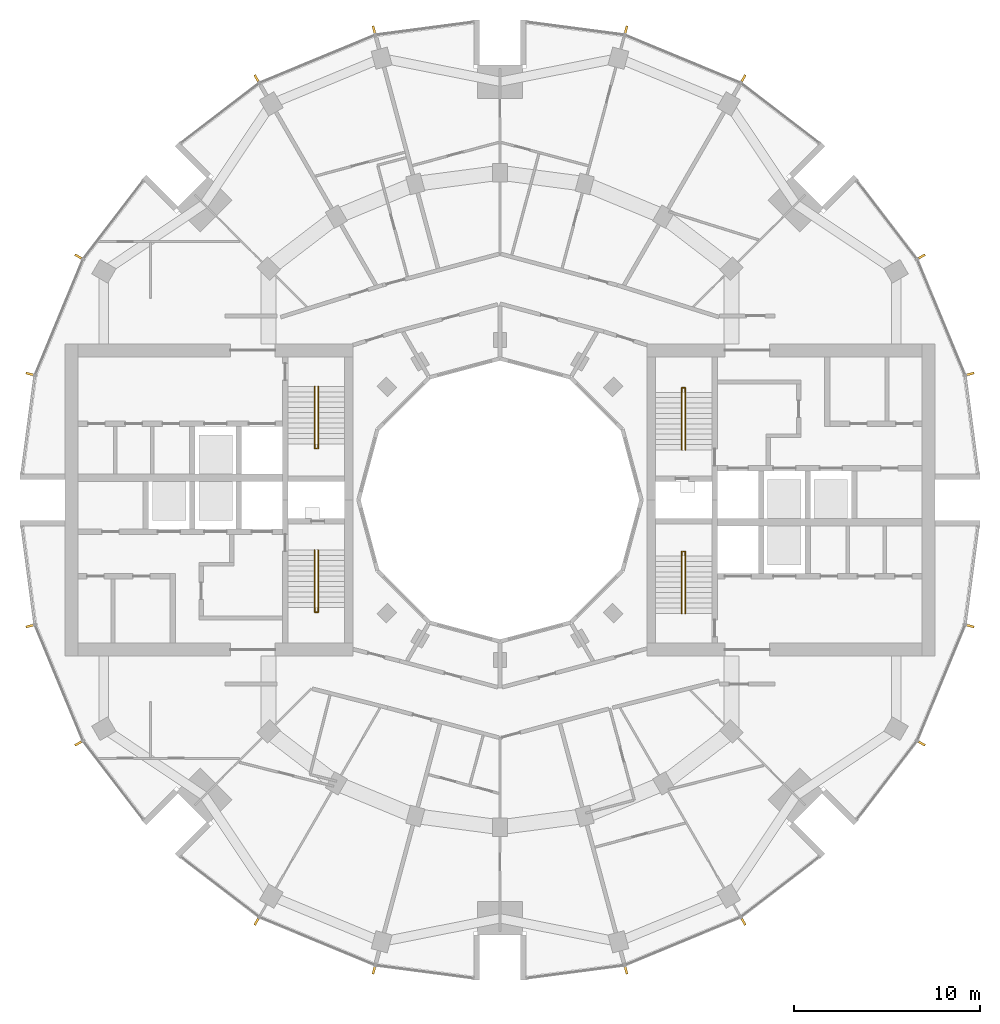
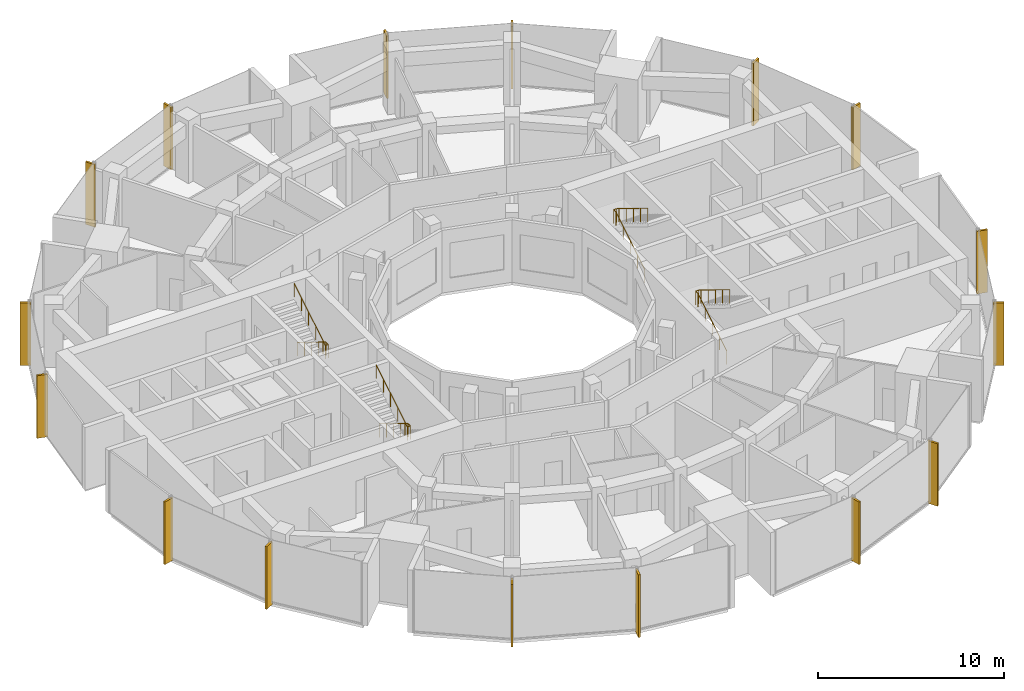
# One storey, part 14 of 15: 16 shading devices, 4 railings.
"""IFC4 building model written with IfcOpenShell, lengths in metres."""

from ifc_helpers import new_model, si_unit, direction, frame, origin, origin_2d, place, context, subcontext, project, spatial, rectangle, circle, extrude, material, material_profile, profile_set, type_object, element, save


model = new_model("IFC4")

# Units and contexts
model_context = context("Model", 3, precision=1e-05, world=origin(), true_north=direction((0.0, 1.0)))
body_context = subcontext(model_context, "Body", "Model", "MODEL_VIEW")
ifc_project = project(units=[si_unit("LENGTHUNIT", "METRE"), si_unit("AREAUNIT", "SQUARE_METRE"), si_unit("VOLUMEUNIT", "CUBIC_METRE"), si_unit("PLANEANGLEUNIT", "RADIAN"), si_unit("MASSUNIT", "GRAM", prefix="KILO")], contexts=[model_context])

# Site, building, storey
site_placement = place(None, origin())
site = spatial("IfcSite", under=ifc_project, at=site_placement, CompositionType="ELEMENT")
building_placement = place(site_placement, origin())
building = spatial("IfcBuilding", under=site, at=building_placement, Name="Torre Brocal", CompositionType="ELEMENT")
storey_placement = place(building_placement, frame((0.0, 0.0, 182.300048828125)))
storey = spatial("IfcBuildingStorey", under=building, at=storey_placement, Name="L42", CompositionType="ELEMENT", Elevation=182.300048828125)

# Shading devices
ifc_material_1 = material(Name="Aluminium, black anodised", Category="aluminium")
ifc_material_profile = material_profile(ifc_material_1, rectangle(XDim=0.1201171875, YDim=0.60009765625, at=origin_2d()), Name="FIN 120X600 4100 HIGH")
ifc_profile_set = profile_set([ifc_material_profile], Name="Aluminium, black anodised")
shading_device_type = type_object("IfcShadingDeviceType", Name="FIN 120X600 4100 HIGH", PredefinedType="USERDEFINED", material=ifc_profile_set)
for number, where, z_axis, x_axis, name in (
    (1, (105.208984375, 81.754638671875, -0.150146484375), (0.0, 0.0, 1.0), (-0.258819045103, 0.965925826289, 0.0), "FIN"),
    (2, (102.601806640625, 88.049072265625, -0.150146484375), (0.0, 0.0, 1.0), (-0.5, 0.866025403784, 0.0), "FIN"),
    (3, (93.049072265625, 97.601806640625, -0.150146484375), (0.0, 0.0, 1.0), (-0.866025403784, 0.5, 0.0), "FIN"),
    (4, (86.754638671875, 100.208984375, -0.150146484375), (0.0, 0.0, 1.0), (-0.965925826289, 0.258819045103, 0.0), "FIN"),
    (5, (73.245361328125, 100.208984375, -0.150146484375), (0.0, 0.0, 1.0), (-0.965925826289, -0.258819045103, 0.0), "FIN"),
    (6, (66.950927734375, 97.601806640625, -0.150146484375), (0.0, 0.0, 1.0), (-0.866025403784, -0.5, 0.0), "FIN"),
    (7, (57.398193359375, 88.049072265625, -0.150146484375), (0.0, 0.0, 1.0), (-0.5, -0.866025403784, 0.0), "FIN"),
    (8, (54.791015625, 81.754638671875, -0.150146484375), (0.0, 0.0, 1.0), (-0.258819045103, -0.965925826289, 0.0), "FIN"),
    (9, (54.791015625, 68.245361328125, -0.150146484375), (0.0, 0.0, 1.0), (0.258819045103, -0.965925826289, 0.0), "FIN"),
    (10, (57.398193359375, 61.950927734375, -0.150146484375), (0.0, 0.0, 1.0), (0.5, -0.866025403784, 0.0), "FIN"),
    (11, (66.950927734375, 52.398193359375, -0.150146484375), (0.0, 0.0, 1.0), (0.866025403784, -0.5, 0.0), "FIN"),
    (12, (73.245361328125, 49.791015625, -0.150146484375), (0.0, 0.0, 1.0), (0.965925826289, -0.258819045103, 0.0), "FIN"),
    (13, (86.754638671875, 49.791015625, -0.150146484375), (0.0, 0.0, 1.0), (0.965925826289, 0.258819045103, 0.0), "FIN"),
    (14, (93.049072265625, 52.398193359375, -0.150146484375), (0.0, 0.0, 1.0), (0.866025403784, 0.5, 0.0), "FIN"),
    (15, (102.601806640625, 61.950927734375, -0.150146484375), (0.0, 0.0, 1.0), (0.5, 0.866025403784, 0.0), "FIN"),
    (16, (105.208984375, 68.245361328125, -0.150146484375), (0.0, 0.0, 1.0), (0.258819045103, 0.965925826289, 0.0), "FIN"),
):
    element("IfcShadingDevice", number, at=place(storey_placement, frame(where, z_axis=z_axis, x_axis=x_axis)), inside=storey, type_object=shading_device_type, Name=name, ObjectType="FIN", PredefinedType="USERDEFINED", context=body_context, shape_type="SweptSolid", body=[
        extrude(rectangle(XDim=0.1201171875, YDim=0.60009765625, at=origin_2d()), origin(), (0.0, 0.0, 1.0), 4.10009765625),
    ])

# Railings
ifc_material_2 = material(Name="Stainless steel AISI 316", Category="steel")
railing_type = type_object("IfcRailingType", Name="STAIR HANDRAIL", PredefinedType="HANDRAIL", material=ifc_material_2)
railing_1_placement = place(storey_placement, frame((89.780029296875, 77.699951171875, 0.1708984375)))
element("IfcRailing", 17, at=railing_1_placement, inside=storey, type_object=railing_type, Name="HANDRAIL ST1", PredefinedType="HANDRAIL", context=body_context, shape_type="SweptSolid", body=[
    extrude(circle(Radius=0.02392578125, at=origin_2d()), frame((0.0, 0.0, 0.8759765625), z_axis=(0.0, 0.853666305674, 0.52082035152), x_axis=(-1.0, 0.0, 0.0)), (0.0, 0.0, 1.0), 3.608154296875),
    extrude(circle(Radius=0.02392578125, at=origin_2d()), frame((0.0, 3.080078125, 2.7548828125), z_axis=(0.0, 1.0, 0.0), x_axis=(-1.0, 0.0, 0.0)), (0.0, 0.0, 1.0), 0.25),
    extrude(circle(Radius=0.02392578125, at=origin_2d()), frame((0.0, 3.330078125, 2.7548828125), z_axis=(1.0, 0.0, 0.0), x_axis=(0.0, 1.0, 0.0)), (0.0, 0.0, 1.0), 0.18994140625),
    extrude(circle(Radius=0.02392578125, at=origin_2d()), frame((0.18994140625, 3.330078125, 2.7548828125), z_axis=(0.0, -0.825920066408, 0.563787232832), x_axis=(1.0, 0.0, 0.0)), (0.0, 0.0, 1.0), 0.302734375),
    extrude(circle(Radius=0.02392578125, at=origin_2d()), frame((0.18994140625, 3.080078125, 2.92578125), z_axis=(0.0, -0.853666305674, 0.52082035152), x_axis=(1.0, 0.0, 0.0)), (0.0, 0.0, 1.0), 3.608154296875),
    extrude(circle(Radius=0.02099609375, at=origin_2d()), origin(), (0.0, 0.0, 1.0), 0.851806640625),
    extrude(circle(Radius=0.02099609375, at=origin_2d()), frame((0.0, 0.77001953125, 0.4697265625)), (0.0, 0.0, 1.0), 0.851806640625),
    extrude(circle(Radius=0.02099609375, at=origin_2d()), frame((0.0, 1.5400390625, 0.939453125)), (0.0, 0.0, 1.0), 0.851806640625),
    extrude(circle(Radius=0.02099609375, at=origin_2d()), frame((0.0, 2.31005859375, 1.409423828125)), (0.0, 0.0, 1.0), 0.851806640625),
    extrude(circle(Radius=0.02099609375, at=origin_2d()), frame((0.0, 3.080078125, 1.879150390625)), (0.0, 0.0, 1.0), 0.851806640625),
    extrude(circle(Radius=0.02099609375, at=origin_2d()), frame((0.0, 3.330078125, 1.879150390625)), (0.0, 0.0, 1.0), 0.851806640625),
    extrude(circle(Radius=0.02099609375, at=origin_2d()), frame((0.18994140625, 3.330078125, 1.879150390625)), (0.0, 0.0, 1.0), 0.851806640625),
    extrude(circle(Radius=0.02099609375, at=origin_2d()), frame((0.18994140625, 3.080078125, 2.0498046875)), (0.0, 0.0, 1.0), 0.851806640625),
    extrude(circle(Radius=0.02099609375, at=origin_2d()), frame((0.18994140625, 2.31005859375, 2.51953125)), (0.0, 0.0, 1.0), 0.851806640625),
    extrude(circle(Radius=0.02099609375, at=origin_2d()), frame((0.18994140625, 1.5400390625, 2.9892578125)), (0.0, 0.0, 1.0), 0.851806640625),
    extrude(circle(Radius=0.02099609375, at=origin_2d()), frame((0.18994140625, 0.77001953125, 3.459228515625)), (0.0, 0.0, 1.0), 0.851806640625),
    extrude(circle(Radius=0.02099609375, at=origin_2d()), frame((0.18994140625, 0.0, 3.928955078125)), (0.0, 0.0, 1.0), 0.851806640625),
])
railing_2_placement = place(storey_placement, frame((89.780029296875, 68.89990234375, 0.1708984375)))
element("IfcRailing", 18, at=railing_2_placement, inside=storey, type_object=railing_type, Name="HANDRAIL ST2", PredefinedType="HANDRAIL", context=body_context, shape_type="SweptSolid", body=[
    extrude(circle(Radius=0.02392578125, at=origin_2d()), frame((0.0, 0.0, 0.8759765625), z_axis=(0.0, 0.853666305674, 0.52082035152), x_axis=(-1.0, 0.0, 0.0)), (0.0, 0.0, 1.0), 3.608154296875),
    extrude(circle(Radius=0.02392578125, at=origin_2d()), frame((0.0, 3.080078125, 2.7548828125), z_axis=(0.0, 1.0, 0.0), x_axis=(-1.0, 0.0, 0.0)), (0.0, 0.0, 1.0), 0.25),
    extrude(circle(Radius=0.02392578125, at=origin_2d()), frame((0.0, 3.330078125, 2.7548828125), z_axis=(1.0, 0.0, 0.0), x_axis=(0.0, 1.0, 0.0)), (0.0, 0.0, 1.0), 0.18994140625),
    extrude(circle(Radius=0.02392578125, at=origin_2d()), frame((0.18994140625, 3.330078125, 2.7548828125), z_axis=(0.0, -0.825920066408, 0.563787232832), x_axis=(1.0, 0.0, 0.0)), (0.0, 0.0, 1.0), 0.302734375),
    extrude(circle(Radius=0.02392578125, at=origin_2d()), frame((0.18994140625, 3.080078125, 2.92578125), z_axis=(0.0, -0.853666305674, 0.52082035152), x_axis=(1.0, 0.0, 0.0)), (0.0, 0.0, 1.0), 3.608154296875),
    extrude(circle(Radius=0.02099609375, at=origin_2d()), origin(), (0.0, 0.0, 1.0), 0.851806640625),
    extrude(circle(Radius=0.02099609375, at=origin_2d()), frame((0.0, 0.77001953125, 0.4697265625)), (0.0, 0.0, 1.0), 0.851806640625),
    extrude(circle(Radius=0.02099609375, at=origin_2d()), frame((0.0, 1.5400390625, 0.939453125)), (0.0, 0.0, 1.0), 0.851806640625),
    extrude(circle(Radius=0.02099609375, at=origin_2d()), frame((0.0, 2.31005859375, 1.409423828125)), (0.0, 0.0, 1.0), 0.851806640625),
    extrude(circle(Radius=0.02099609375, at=origin_2d()), frame((0.0, 3.080078125, 1.879150390625)), (0.0, 0.0, 1.0), 0.851806640625),
    extrude(circle(Radius=0.02099609375, at=origin_2d()), frame((0.0, 3.330078125, 1.879150390625)), (0.0, 0.0, 1.0), 0.851806640625),
    extrude(circle(Radius=0.02099609375, at=origin_2d()), frame((0.18994140625, 3.330078125, 1.879150390625)), (0.0, 0.0, 1.0), 0.851806640625),
    extrude(circle(Radius=0.02099609375, at=origin_2d()), frame((0.18994140625, 3.080078125, 2.0498046875)), (0.0, 0.0, 1.0), 0.851806640625),
    extrude(circle(Radius=0.02099609375, at=origin_2d()), frame((0.18994140625, 2.31005859375, 2.51953125)), (0.0, 0.0, 1.0), 0.851806640625),
    extrude(circle(Radius=0.02099609375, at=origin_2d()), frame((0.18994140625, 1.5400390625, 2.9892578125)), (0.0, 0.0, 1.0), 0.851806640625),
    extrude(circle(Radius=0.02099609375, at=origin_2d()), frame((0.18994140625, 0.77001953125, 3.459228515625)), (0.0, 0.0, 1.0), 0.851806640625),
    extrude(circle(Radius=0.02099609375, at=origin_2d()), frame((0.18994140625, 0.0, 3.928955078125)), (0.0, 0.0, 1.0), 0.851806640625),
])
railing_3_placement = place(storey_placement, frame((70.219970703125, 72.300048828125, 0.1708984375)))
element("IfcRailing", 19, at=railing_3_placement, inside=storey, type_object=railing_type, Name="HANDRAIL ST3", PredefinedType="HANDRAIL", context=body_context, shape_type="SweptSolid", body=[
    extrude(circle(Radius=0.02392578125, at=origin_2d()), frame((0.0, 0.0, 0.8759765625), z_axis=(0.0, -0.853666305674, 0.52082035152), x_axis=(1.0, 0.0, 0.0)), (0.0, 0.0, 1.0), 3.608154296875),
    extrude(circle(Radius=0.02392578125, at=origin_2d()), frame((0.0, -3.080078125, 2.7548828125), z_axis=(0.0, -1.0, 0.0), x_axis=(1.0, 0.0, 0.0)), (0.0, 0.0, 1.0), 0.25),
    extrude(circle(Radius=0.02392578125, at=origin_2d()), frame((0.0, -3.330078125, 2.7548828125), z_axis=(-1.0, 0.0, 0.0), x_axis=(0.0, -1.0, 0.0)), (0.0, 0.0, 1.0), 0.18994140625),
    extrude(circle(Radius=0.02392578125, at=origin_2d()), frame((-0.18994140625, -3.330078125, 2.7548828125), z_axis=(0.0, 0.825920066408, 0.563787232832), x_axis=(-1.0, 0.0, 0.0)), (0.0, 0.0, 1.0), 0.302734375),
    extrude(circle(Radius=0.02392578125, at=origin_2d()), frame((-0.18994140625, -3.080078125, 2.92578125), z_axis=(0.0, 0.853666305674, 0.52082035152), x_axis=(-1.0, 0.0, 0.0)), (0.0, 0.0, 1.0), 3.608154296875),
    extrude(circle(Radius=0.02099609375, at=origin_2d()), origin(), (0.0, 0.0, 1.0), 0.851806640625),
    extrude(circle(Radius=0.02099609375, at=origin_2d()), frame((0.0, -0.77001953125, 0.4697265625)), (0.0, 0.0, 1.0), 0.851806640625),
    extrude(circle(Radius=0.02099609375, at=origin_2d()), frame((0.0, -1.5400390625, 0.939453125)), (0.0, 0.0, 1.0), 0.851806640625),
    extrude(circle(Radius=0.02099609375, at=origin_2d()), frame((0.0, -2.31005859375, 1.409423828125)), (0.0, 0.0, 1.0), 0.851806640625),
    extrude(circle(Radius=0.02099609375, at=origin_2d()), frame((0.0, -3.080078125, 1.879150390625)), (0.0, 0.0, 1.0), 0.851806640625),
    extrude(circle(Radius=0.02099609375, at=origin_2d()), frame((0.0, -3.330078125, 1.879150390625)), (0.0, 0.0, 1.0), 0.851806640625),
    extrude(circle(Radius=0.02099609375, at=origin_2d()), frame((-0.18994140625, -3.330078125, 1.879150390625)), (0.0, 0.0, 1.0), 0.851806640625),
    extrude(circle(Radius=0.02099609375, at=origin_2d()), frame((-0.18994140625, -3.080078125, 2.0498046875)), (0.0, 0.0, 1.0), 0.851806640625),
    extrude(circle(Radius=0.02099609375, at=origin_2d()), frame((-0.18994140625, -2.31005859375, 2.51953125)), (0.0, 0.0, 1.0), 0.851806640625),
    extrude(circle(Radius=0.02099609375, at=origin_2d()), frame((-0.18994140625, -1.5400390625, 2.9892578125)), (0.0, 0.0, 1.0), 0.851806640625),
    extrude(circle(Radius=0.02099609375, at=origin_2d()), frame((-0.18994140625, -0.77001953125, 3.459228515625)), (0.0, 0.0, 1.0), 0.851806640625),
    extrude(circle(Radius=0.02099609375, at=origin_2d()), frame((-0.18994140625, 0.0, 3.928955078125)), (0.0, 0.0, 1.0), 0.851806640625),
])
railing_4_placement = place(storey_placement, frame((70.219970703125, 81.10009765625, 0.1708984375)))
element("IfcRailing", 20, at=railing_4_placement, inside=storey, type_object=railing_type, Name="HANDRAIL ST4", PredefinedType="HANDRAIL", context=body_context, shape_type="SweptSolid", body=[
    extrude(circle(Radius=0.02392578125, at=origin_2d()), frame((0.0, 0.0, 0.8759765625), z_axis=(0.0, -0.853666305674, 0.52082035152), x_axis=(1.0, 0.0, 0.0)), (0.0, 0.0, 1.0), 3.608154296875),
    extrude(circle(Radius=0.02392578125, at=origin_2d()), frame((0.0, -3.080078125, 2.7548828125), z_axis=(0.0, -1.0, 0.0), x_axis=(1.0, 0.0, 0.0)), (0.0, 0.0, 1.0), 0.25),
    extrude(circle(Radius=0.02392578125, at=origin_2d()), frame((0.0, -3.330078125, 2.7548828125), z_axis=(-1.0, 0.0, 0.0), x_axis=(0.0, -1.0, 0.0)), (0.0, 0.0, 1.0), 0.18994140625),
    extrude(circle(Radius=0.02392578125, at=origin_2d()), frame((-0.18994140625, -3.330078125, 2.7548828125), z_axis=(0.0, 0.825920066408, 0.563787232832), x_axis=(-1.0, 0.0, 0.0)), (0.0, 0.0, 1.0), 0.302734375),
    extrude(circle(Radius=0.02392578125, at=origin_2d()), frame((-0.18994140625, -3.080078125, 2.92578125), z_axis=(0.0, 0.853666305674, 0.52082035152), x_axis=(-1.0, 0.0, 0.0)), (0.0, 0.0, 1.0), 3.608154296875),
    extrude(circle(Radius=0.02099609375, at=origin_2d()), origin(), (0.0, 0.0, 1.0), 0.851806640625),
    extrude(circle(Radius=0.02099609375, at=origin_2d()), frame((0.0, -0.77001953125, 0.4697265625)), (0.0, 0.0, 1.0), 0.851806640625),
    extrude(circle(Radius=0.02099609375, at=origin_2d()), frame((0.0, -1.5400390625, 0.939453125)), (0.0, 0.0, 1.0), 0.851806640625),
    extrude(circle(Radius=0.02099609375, at=origin_2d()), frame((0.0, -2.31005859375, 1.409423828125)), (0.0, 0.0, 1.0), 0.851806640625),
    extrude(circle(Radius=0.02099609375, at=origin_2d()), frame((0.0, -3.080078125, 1.879150390625)), (0.0, 0.0, 1.0), 0.851806640625),
    extrude(circle(Radius=0.02099609375, at=origin_2d()), frame((0.0, -3.330078125, 1.879150390625)), (0.0, 0.0, 1.0), 0.851806640625),
    extrude(circle(Radius=0.02099609375, at=origin_2d()), frame((-0.18994140625, -3.330078125, 1.879150390625)), (0.0, 0.0, 1.0), 0.851806640625),
    extrude(circle(Radius=0.02099609375, at=origin_2d()), frame((-0.18994140625, -3.080078125, 2.0498046875)), (0.0, 0.0, 1.0), 0.851806640625),
    extrude(circle(Radius=0.02099609375, at=origin_2d()), frame((-0.18994140625, -2.31005859375, 2.51953125)), (0.0, 0.0, 1.0), 0.851806640625),
    extrude(circle(Radius=0.02099609375, at=origin_2d()), frame((-0.18994140625, -1.5400390625, 2.9892578125)), (0.0, 0.0, 1.0), 0.851806640625),
    extrude(circle(Radius=0.02099609375, at=origin_2d()), frame((-0.18994140625, -0.77001953125, 3.459228515625)), (0.0, 0.0, 1.0), 0.851806640625),
    extrude(circle(Radius=0.02099609375, at=origin_2d()), frame((-0.18994140625, 0.0, 3.928955078125)), (0.0, 0.0, 1.0), 0.851806640625),
])

save(model, "model.ifc")
